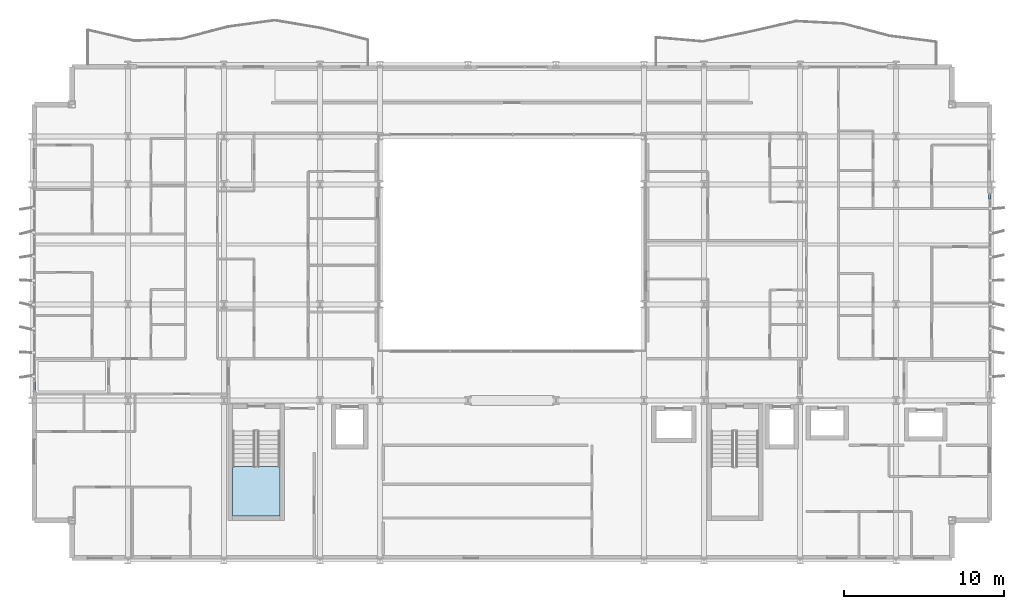
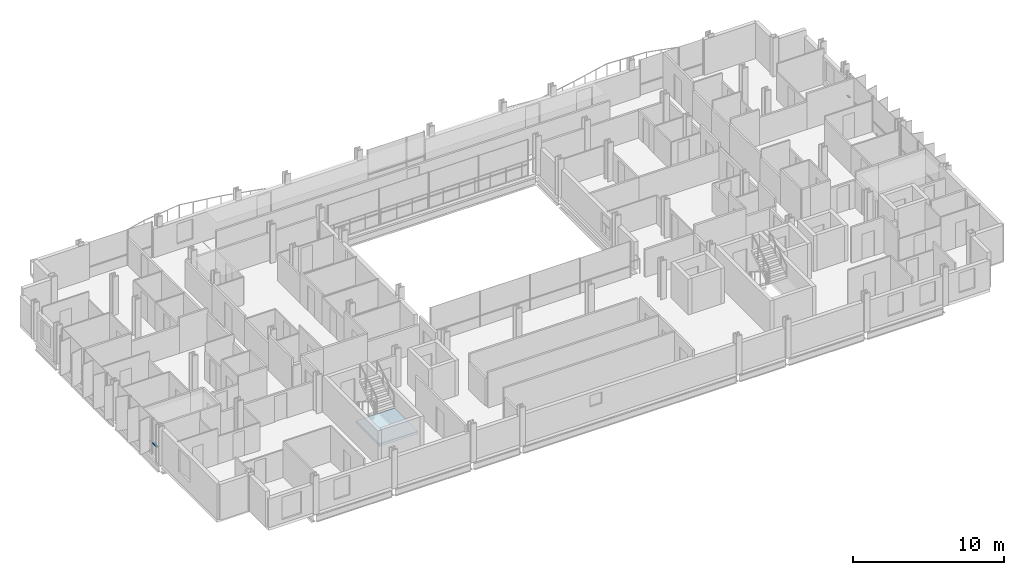
# One storey, part 21 of 38: 2 members, 1 slab, 3 elements without a shape of their own.
"""IFC4 building model written with IfcOpenShell, lengths in metres."""

from ifc_helpers import new_model, si_unit, direction, frame, origin, origin_2d, place, context, subcontext, project, spatial, polyline, hollow_rectangle, outline, extrude, material, layer, layer_set, material_profile, profile_set, type_object, element, aggregate, save


model = new_model("IFC4")

# Units and contexts
model_context = context("Model", 3, precision=1e-05, world=origin(), true_north=direction((0.0, 1.0)))
body_context = subcontext(model_context, "Body", "Model", "MODEL_VIEW")
ifc_project = project(units=[si_unit("LENGTHUNIT", "METRE"), si_unit("AREAUNIT", "SQUARE_METRE"), si_unit("VOLUMEUNIT", "CUBIC_METRE"), si_unit("PLANEANGLEUNIT", "RADIAN"), si_unit("MASSUNIT", "GRAM", prefix="KILO")], contexts=[model_context])

# Site, building, storey
site_placement = place(None, origin())
site = spatial("IfcSite", under=ifc_project, at=site_placement, CompositionType="ELEMENT")
building_placement = place(site_placement, origin())
building = spatial("IfcBuilding", under=site, at=building_placement, Name="Brevholm Reach", CompositionType="ELEMENT")
storey_placement = place(building_placement, frame((0.0, 0.0, 59.0)))
storey = spatial("IfcBuildingStorey", under=building, at=storey_placement, Name="L16", CompositionType="ELEMENT", Elevation=59.0)

# Curtain wall, member
ifc_material_1 = material(Name="Dark Anodised Aluminium 6063-T6 and Solar-Control Glass", Category="aluminium")
ifc_layer_1 = layer(ifc_material_1, 0.14990234375)
ifc_layer_set_1 = layer_set([ifc_layer_1], Name="Dark Anodised Aluminium 6063-T6 and Solar-Control Glass")
curtain_wall_type = type_object("IfcCurtainWallType", Name="CW-01", PredefinedType="NOTDEFINED", material=ifc_layer_set_1)
curtain_wall_1_placement = place(storey_placement, origin())
curtain_wall_1 = element("IfcCurtainWall", 1, at=curtain_wall_1_placement, inside=storey, type_object=curtain_wall_type, Name="L16 Curtain Wall CW-01", PredefinedType="NOTDEFINED")
ifc_material_2 = material(Name="Dark Anodised Aluminium 6063-T6", Category="aluminium")
ifc_material_profile = material_profile(ifc_material_2, hollow_rectangle(XDim=0.06494140625, YDim=0.14990234375, WallThickness=0.0048828125, InnerFilletRadius=0.0048828125, OuterFilletRadius=0.010009765625, at=origin_2d()), Name="RHS 150x65x5")
ifc_profile_set = profile_set([ifc_material_profile], Name="Dark Anodised Aluminium 6063-T6")
member_type = type_object("IfcMemberType", Name="CWT-150", PredefinedType="NOTDEFINED", material=ifc_profile_set)
member_1_placement = place(storey_placement, frame((0.14990234375, 11.1875, 0.89990234375), z_axis=(0.0, -1.0, 0.0), x_axis=(0.0, 0.0, 1.0)))
member_1 = element("IfcMember", 2, at=member_1_placement, type_object=member_type, Name="CT-150 Transom 5.1", ObjectType="TRANSOM", PredefinedType="USERDEFINED", context=body_context, shape_type="SweptSolid", body=[
    extrude(hollow_rectangle(XDim=0.06494140625, YDim=0.14990234375, WallThickness=0.0048828125, InnerFilletRadius=0.0048828125, OuterFilletRadius=0.010009765625, at=origin_2d()), origin(), (0.0, 0.0, 1.0), 0.572509765625),
])
aggregate(curtain_wall_1, [member_1])

curtain_wall_2_placement = place(storey_placement, origin())
curtain_wall_2 = element("IfcCurtainWall", 3, at=curtain_wall_2_placement, inside=storey, type_object=curtain_wall_type, Name="L16 Curtain Wall CW-01", PredefinedType="NOTDEFINED")
member_2_placement = place(storey_placement, frame((59.85009765625, 22.58251953125, 0.89990234375), z_axis=(0.0, 1.0, 0.0), x_axis=(0.0, 0.0, 1.0)))
member_2 = element("IfcMember", 4, at=member_2_placement, type_object=member_type, Name="CT-150 Transom 5.1", ObjectType="TRANSOM", PredefinedType="USERDEFINED", context=body_context, shape_type="SweptSolid", body=[
    extrude(hollow_rectangle(XDim=0.06494140625, YDim=0.14990234375, WallThickness=0.0048828125, InnerFilletRadius=0.0048828125, OuterFilletRadius=0.010009765625, at=origin_2d()), origin(), (0.0, 0.0, 1.0), 0.302490234375),
])
aggregate(curtain_wall_2, [member_2])

# Stair, slab
ifc_material_3 = material(Name="Precast Concrete C40/50", Category="concrete")
stair_type = type_object("IfcStairType", Name="STR-ESC-1400", PredefinedType="DOUBLE_RETURN_STAIR", material=ifc_material_3)
stair_placement = place(storey_placement, origin())
stair = element("IfcStair", 5, at=stair_placement, inside=storey, type_object=stair_type, Name="L16 ST-1", PredefinedType="DOUBLE_RETURN_STAIR")
ifc_material_4 = material(Name="Concrete C40/50", Category="concrete")
ifc_layer_2 = layer(ifc_material_4, 0.199951171875)
ifc_layer_set_2 = layer_set([ifc_layer_2], Name="Concrete C40/50")
slab_type = type_object("IfcSlabType", Name="SLB-LND-200", PredefinedType="LANDING", material=ifc_layer_set_2)
slab_placement = place(storey_placement, frame((0.0, 0.0, 1.35009765625)))
slab = element("IfcSlab", 6, at=slab_placement, type_object=slab_type, Name="ST-1 landing 1", PredefinedType="LANDING", context=body_context, shape_type="SweptSolid", body=[
    extrude(outline(polyline([(12.550048828125, 5.860107421875), (12.550048828125, 2.780029296875), (15.5, 2.780029296875), (15.5, 5.860107421875), (12.550048828125, 5.860107421875)])), origin(), (0.0, 0.0, 1.0), 0.199951171875),
])
aggregate(stair, [slab])

save(model, "model.ifc")
